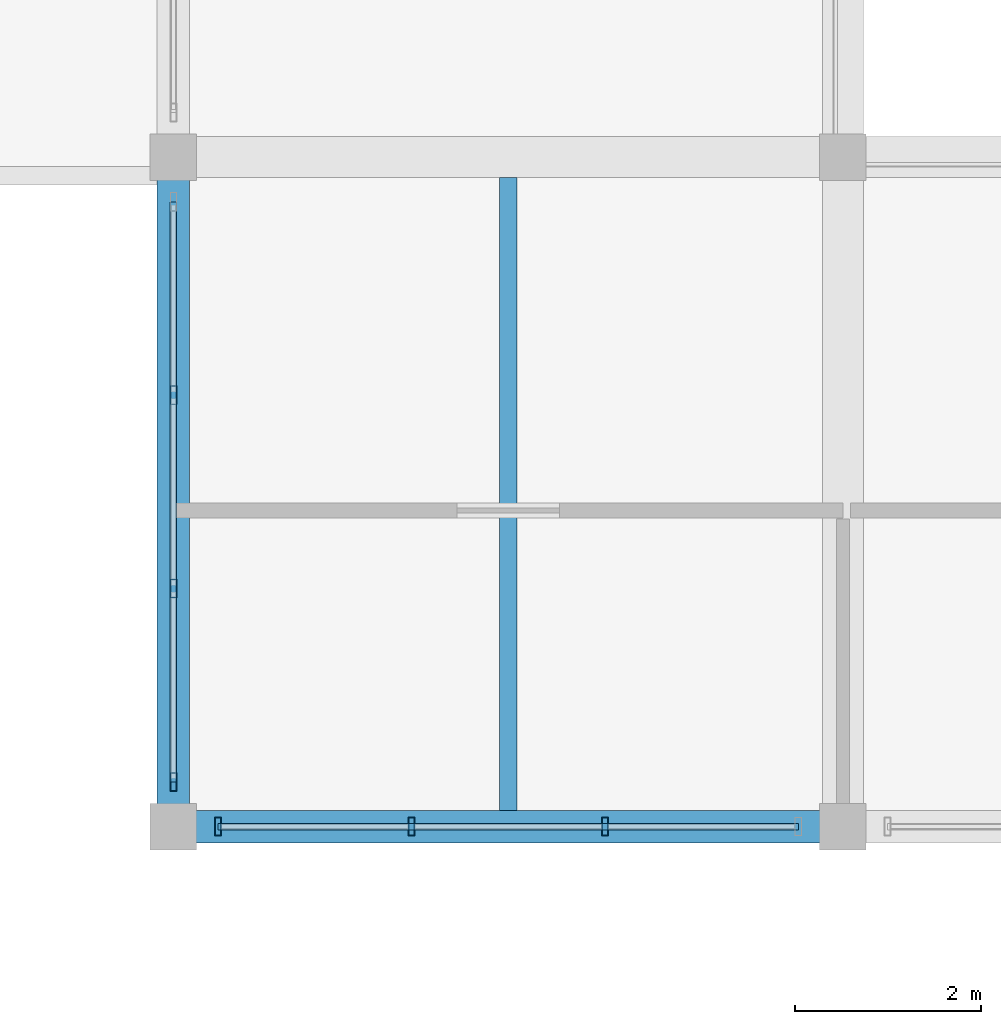
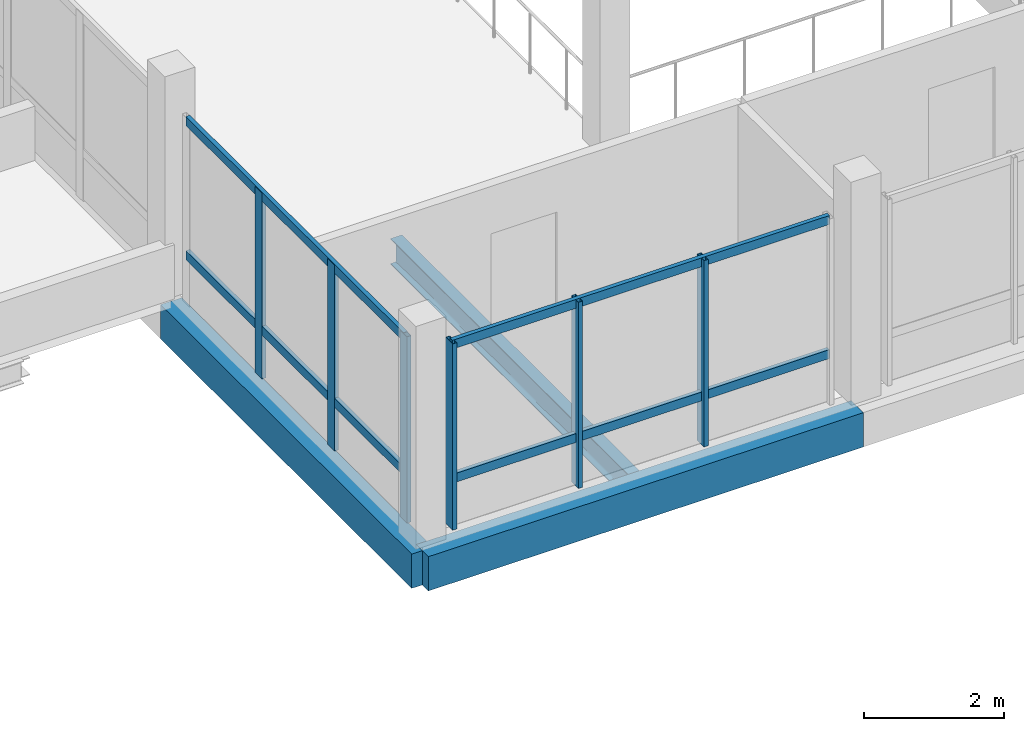
# One storey, part 36 of 128: 10 members, 3 beams, 2 elements without a shape of their own.
"""IFC4 building model written with IfcOpenShell, lengths in metres."""

import ifcopenshell
import ifcopenshell.guid

model = None  # the IFC model being written
_history = None  # IfcOwnerHistory: only IFC2X3 demands one
_inside = {}  # id of a spatial element -> (the spatial element, [elements in it])
_under = {}  # id of a project, library or spatial element -> (it, [spatial elements below it])
_declared = {}  # id of a project -> (the project, [libraries it declares])
_typed = {}  # id of a type object -> (the type object, [elements of that type])
_made_of = {}  # id of a material, layer set ... -> (it, [elements and type objects made of it])


def new_model(schema):
    """Start an empty IFC model of exactly this schema.

    Asked for "IFC4X3", IfcOpenShell would pick the latest addendum, in which some entities
    have other attributes; the version numbers below select the first issue.
    IFC2X3 requires an IfcOwnerHistory on every rooted entity: one is made here for all.
    """
    global model, _history
    if schema == "IFC4X3":
        model = ifcopenshell.file(schema_version=(4, 3, 0, 0))
    else:
        model = ifcopenshell.file(schema=schema)
    _inside.clear()
    _under.clear()
    _declared.clear()
    _typed.clear()
    _made_of.clear()
    _history = None
    if model.schema == "IFC2X3":
        org = make("IfcOrganization", Name="unknown")
        user = make(
            "IfcPersonAndOrganization",
            ThePerson=make("IfcPerson", FamilyName="unknown"),
            TheOrganization=org,
        )
        app = make(
            "IfcApplication",
            ApplicationDeveloper=org,
            Version="unknown",
            ApplicationFullName="unknown",
            ApplicationIdentifier="unknown",
        )
        _history = make(
            "IfcOwnerHistory",
            OwningUser=user,
            OwningApplication=app,
            ChangeAction="ADDED",
            CreationDate=0,
        )
    return model


def make(cls, **values):
    """One entity of the class cls with the attributes given. An attribute that is None is left unset."""
    return model.create_entity(
        cls, **{name: value for name, value in values.items() if value is not None}
    )


def rooted(cls, **values):
    """An entity with a GlobalId (a new one), such as an element, a storey or a relation."""
    return make(cls, GlobalId=ifcopenshell.guid.new(), OwnerHistory=_history, **values)


def si_unit(unit_type, name, prefix=None):
    """IfcSIUnit, for example si_unit("LENGTHUNIT", "METRE", prefix="MILLI")."""
    return make("IfcSIUnit", UnitType=unit_type, Prefix=prefix, Name=name)


def assignment(units):
    """IfcUnitAssignment: the units of a project."""
    return None if units is None else make("IfcUnitAssignment", Units=units)


def point(xyz):
    """IfcCartesianPoint."""
    return None if xyz is None else make("IfcCartesianPoint", Coordinates=xyz)


def direction(xyz):
    """IfcDirection."""
    return None if xyz is None else make("IfcDirection", DirectionRatios=xyz)


def frame(location, z_axis=None, x_axis=None):
    """IfcAxis2Placement3D, a coordinate frame: its origin and axes. An axis left out is left unset."""
    return make(
        "IfcAxis2Placement3D",
        Location=point(location),
        Axis=direction(z_axis),
        RefDirection=direction(x_axis),
    )


def frame_2d(location, x_axis=None):
    """IfcAxis2Placement2D, a coordinate frame in the plane: its origin and x axis."""
    return make(
        "IfcAxis2Placement2D", Location=point(location), RefDirection=direction(x_axis)
    )


def origin():
    """The frame at (0, 0, 0) with its axes left unset."""
    return frame((0.0, 0.0, 0.0))


def origin_2d():
    """The frame at (0, 0) in the plane with its x axis left unset."""
    return frame_2d((0.0, 0.0))


def place(relative_to, where):
    """IfcLocalPlacement: puts the frame where relative to a parent placement (None: the world)."""
    return make(
        "IfcLocalPlacement", PlacementRelTo=relative_to, RelativePlacement=where
    )


def context(
    kind, dimensions, precision=None, world=None, true_north=None, identifier=None
):
    """IfcGeometricRepresentationContext, for example the 3D "Model" context."""
    return make(
        "IfcGeometricRepresentationContext",
        ContextIdentifier=identifier,
        ContextType=kind,
        CoordinateSpaceDimension=dimensions,
        Precision=precision,
        WorldCoordinateSystem=world,
        TrueNorth=true_north,
    )


def subcontext(parent, identifier, kind, view, scale=None):
    """IfcGeometricRepresentationSubContext, for example "Body" below "Model"."""
    return make(
        "IfcGeometricRepresentationSubContext",
        ContextIdentifier=identifier,
        ContextType=kind,
        ParentContext=parent,
        TargetScale=scale,
        TargetView=view,
    )


def project(units=None, contexts=None):
    """IfcProject with its units and contexts."""
    return rooted(
        "IfcProject",
        Name="project",
        RepresentationContexts=contexts,
        UnitsInContext=assignment(units),
    )


def spatial(cls, under=None, at=None, **own):
    """A site, building, storey or space (cls), placed at a placement, below another one or the project."""
    s = rooted(cls, ObjectPlacement=at, **own)
    if under is not None:
        _under.setdefault(under.id(), (under, []))[1].append(s)
    return s


def profile(cls, at=None, kind="AREA", **sizes):
    """A parametric profile (cls). Its sizes go by their IFC names, for example OverallWidth=200.0."""
    return make(cls, ProfileType=kind, Position=at, **sizes)


def rectangle(**sizes):
    """IfcRectangleProfileDef."""
    return profile("IfcRectangleProfileDef", **sizes)


def hollow_rectangle(**sizes):
    """IfcRectangleHollowProfileDef."""
    return profile("IfcRectangleHollowProfileDef", **sizes)


def i_section(**sizes):
    """IfcIShapeProfileDef."""
    return profile("IfcIShapeProfileDef", **sizes)


def extrude(swept, where, along, depth):
    """IfcExtrudedAreaSolid: the profile swept, set in the frame where, extruded along a direction by depth."""
    return make(
        "IfcExtrudedAreaSolid",
        SweptArea=swept,
        Position=where,
        ExtrudedDirection=direction(along),
        Depth=depth,
    )


def shape(context_of_items, identifier, shape_type, items):
    """IfcShapeRepresentation: the items that make up one representation, for example the "Body"."""
    return make(
        "IfcShapeRepresentation",
        ContextOfItems=context_of_items,
        RepresentationIdentifier=identifier,
        RepresentationType=shape_type,
        Items=items,
    )


def material(Name=None, Category=None):
    """IfcMaterial."""
    return make("IfcMaterial", Name=Name, Category=Category)


def material_profile(
    of_material, cross_section, Name=None, Category=None, Priority=None
):
    """IfcMaterialProfile: a cross section and its material."""
    return make(
        "IfcMaterialProfile",
        Name=Name,
        Material=of_material,
        Profile=cross_section,
        Priority=Priority,
        Category=Category,
    )


def profile_set(profiles, Name=None, composite=None):
    """IfcMaterialProfileSet."""
    return make(
        "IfcMaterialProfileSet",
        Name=Name,
        MaterialProfiles=profiles,
        CompositeProfile=composite,
    )


def made_of(thing, what):
    """Note that an element or type object is made of a material, layer set ...; save() writes the relation."""
    if what is not None:
        _made_of.setdefault(what.id(), (what, []))[1].append(thing)
    return thing


def type_object(cls, material=None, **own):
    """A type object (cls), such as IfcWallType, which elements share."""
    return made_of(rooted(cls, **own), material)


def element(
    cls,
    number,
    at=None,
    inside=None,
    cuts=None,
    type_object=None,
    material=None,
    context=None,
    identifier="Body",
    shape_type=None,
    held_by="IfcProductDefinitionShape",
    body=None,
    shapes=None,
    **own,
):
    """One element of the class cls, such as IfcWall. Its Tag is "e" and its number.

    at: its placement. inside: the storey or other place that contains it. cuts: it is an
    opening in that element (IfcRelVoidsElement). A single representation is given by context,
    identifier, shape_type and body (its items); several are given by shapes. held_by: the class
    of the entity that holds the representations. save() writes the other relations.
    """
    e = rooted(cls, Tag="e%d" % number, ObjectPlacement=at, **own)
    if body is not None:
        shapes = [shape(context, identifier, shape_type, body)]
    if shapes is not None:
        e.Representation = make(held_by, Representations=shapes)
    if inside is not None:
        _inside.setdefault(inside.id(), (inside, []))[1].append(e)
    if cuts is not None:
        rooted(
            "IfcRelVoidsElement", RelatingBuildingElement=cuts, RelatedOpeningElement=e
        )
    if type_object is not None:
        _typed.setdefault(type_object.id(), (type_object, []))[1].append(e)
    return made_of(e, material)


def aggregate(whole, parts):
    """IfcRelAggregates: a whole, such as a stair, and the parts it consists of."""
    return rooted("IfcRelAggregates", RelatingObject=whole, RelatedObjects=parts)


def save(model, path):
    """Write the relations noted so far, then the file.

    IfcRelAggregates (storeys below a building ...), IfcRelContainedInSpatialStructure (elements
    in a storey), IfcRelDefinesByType, IfcRelAssociatesMaterial and IfcRelDeclares: one each for
    every whole, place, type object, material and project.
    """
    for whole, parts in _under.values():
        aggregate(whole, parts)
    for where, things in _inside.values():
        rooted(
            "IfcRelContainedInSpatialStructure",
            RelatedElements=things,
            RelatingStructure=where,
        )
    for kind, things in _typed.values():
        rooted("IfcRelDefinesByType", RelatedObjects=things, RelatingType=kind)
    for what, things in _made_of.values():
        rooted("IfcRelAssociatesMaterial", RelatedObjects=things, RelatingMaterial=what)
    for by, libraries in _declared.values():
        rooted("IfcRelDeclares", RelatingContext=by, RelatedDefinitions=libraries)
    model.write(path)


model = new_model("IFC4")

# Units and contexts
model_context = context("Model", 3, precision=1e-05, world=origin(), true_north=direction((0.0, 1.0)))
body_context = subcontext(model_context, "Body", "Model", "MODEL_VIEW")
ifc_project = project(units=[si_unit("LENGTHUNIT", "METRE"), si_unit("AREAUNIT", "SQUARE_METRE"), si_unit("VOLUMEUNIT", "CUBIC_METRE"), si_unit("PLANEANGLEUNIT", "RADIAN"), si_unit("MASSUNIT", "GRAM", prefix="KILO")], contexts=[model_context])

# Site, building, storey
site_placement = place(None, origin())
site = spatial("IfcSite", under=ifc_project, at=site_placement, CompositionType="ELEMENT")
building_placement = place(site_placement, origin())
building = spatial("IfcBuilding", under=site, at=building_placement, Name="Zornivar Specialist Clinic", CompositionType="ELEMENT")
storey_placement = place(building_placement, frame((0.0, 0.0, 4.5)))
storey = spatial("IfcBuildingStorey", under=building, at=storey_placement, Name="L01", CompositionType="ELEMENT", Elevation=4.5)

# Beams
ifc_material_1 = material(Name="Concrete C30/37", Category="concrete")
ifc_material_profile_1 = material_profile(ifc_material_1, rectangle(XDim=0.35009765625, YDim=0.60009765625, at=origin_2d()), Name="RC 350x600")
ifc_profile_set_1 = profile_set([ifc_material_profile_1], Name="Concrete C30/37")
beam_type_1 = type_object("IfcBeamType", Name="BM-RC-SPANDREL-350x600", PredefinedType="SPANDREL", material=ifc_profile_set_1)
beam_1_placement = place(storey_placement, frame((122.39990234375, 0.0, -0.56005859375), z_axis=(1.0, 0.0, 0.0), x_axis=(0.0, 1.0, 0.0)))
element("IfcBeam", 1, at=beam_1_placement, inside=storey, type_object=beam_type_1, Name="bm:V4:L01:x:0:0", PredefinedType="SPANDREL", context=body_context, shape_type="SweptSolid", body=[
    extrude(rectangle(XDim=0.35009765625, YDim=0.60009765625, at=origin_2d()), origin(), (0.0, 0.0, 1.0), 7.2001953125),
])
beam_2_placement = place(storey_placement, frame((122.39990234375, 0.0, -0.56005859375), z_axis=(0.0, 1.0, 0.0), x_axis=(-1.0, 0.0, 0.0)))
element("IfcBeam", 2, at=beam_2_placement, inside=storey, type_object=beam_type_1, Name="bm:V4:L01:y:1224:0", PredefinedType="SPANDREL", context=body_context, shape_type="SweptSolid", body=[
    extrude(rectangle(XDim=0.35009765625, YDim=0.60009765625, at=origin_2d()), origin(), (0.0, 0.0, 1.0), 7.199951171875),
])
ifc_material_2 = material(Name="Steel S355J2", Category="steel")
ifc_material_profile_2 = material_profile(ifc_material_2, i_section(OverallWidth=0.18994140625, OverallDepth=0.449951171875, WebThickness=0.009521484375, FlangeThickness=0.0146484375, FilletRadius=0.02099609375, at=origin_2d()), Name="IPE 450")
ifc_profile_set_2 = profile_set([ifc_material_profile_2], Name="Steel S355J2")
beam_type_2 = type_object("IfcBeamType", Name="BM-STL-IPE450", PredefinedType="BEAM", material=ifc_profile_set_2)
beam_3_placement = place(storey_placement, frame((126.0, 0.175048828125, -0.485107421875), z_axis=(0.0, 1.0, 0.0), x_axis=(-1.0, 0.0, 0.0)))
element("IfcBeam", 3, at=beam_3_placement, inside=storey, type_object=beam_type_2, Name="bm:V4:L01:gird:0", PredefinedType="BEAM", context=body_context, shape_type="SweptSolid", body=[
    extrude(i_section(OverallWidth=0.18994140625, OverallDepth=0.449951171875, WebThickness=0.009521484375, FlangeThickness=0.0146484375, FilletRadius=0.02099609375, at=origin_2d()), origin(), (0.0, 0.0, 1.0), 6.804931640625),
])

# Curtain wall, members
ifc_material_3 = material(Name="Aluminium and Low-E Glass Curtain Wall", Category="aluminium")
curtain_wall_type = type_object("IfcCurtainWallType", Name="CW-WINTERGARDEN", PredefinedType="NOTDEFINED", material=ifc_material_3)
curtain_wall_1_placement = place(storey_placement, origin())
curtain_wall_1 = element("IfcCurtainWall", 4, at=curtain_wall_1_placement, inside=storey, type_object=curtain_wall_type, Name="cw:V4:L01:00", PredefinedType="NOTDEFINED")
ifc_material_4 = material(Name="Aluminium AW-6060", Category="aluminium")
ifc_material_profile_3 = material_profile(ifc_material_4, hollow_rectangle(XDim=0.070068359375, YDim=0.199951171875, WallThickness=0.0048828125, at=origin_2d()), Name="ALU 70x200x5")
ifc_profile_set_3 = profile_set([ifc_material_profile_3], Name="Aluminium AW-6060")
member_type_1 = type_object("IfcMemberType", Name="CWM-MUL-200", PredefinedType="MULLION", material=ifc_profile_set_3)
member_1_placement = place(storey_placement, frame((122.8798828125, 0.0, 0.0), z_axis=(0.0, 0.0, 1.0), x_axis=(1.0, 0.0, 0.0)))
member_1 = element("IfcMember", 5, at=member_1_placement, type_object=member_type_1, Name="cw:V4:L01:00:mul:0", PredefinedType="MULLION", context=body_context, shape_type="SweptSolid", body=[
    extrude(hollow_rectangle(XDim=0.070068359375, YDim=0.199951171875, WallThickness=0.0048828125, at=origin_2d()), origin(), (0.0, 0.0, 1.0), 3.260009765625),
])
member_2_placement = place(storey_placement, frame((124.9599609375, 0.0, 0.0), z_axis=(0.0, 0.0, 1.0), x_axis=(1.0, 0.0, 0.0)))
member_2 = element("IfcMember", 6, at=member_2_placement, type_object=member_type_1, Name="cw:V4:L01:00:mul:1", PredefinedType="MULLION", context=body_context, shape_type="SweptSolid", body=[
    extrude(hollow_rectangle(XDim=0.070068359375, YDim=0.199951171875, WallThickness=0.0048828125, at=origin_2d()), origin(), (0.0, 0.0, 1.0), 3.260009765625),
])
member_3_placement = place(storey_placement, frame((127.0400390625, 0.0, 0.0), z_axis=(0.0, 0.0, 1.0), x_axis=(1.0, 0.0, 0.0)))
member_3 = element("IfcMember", 7, at=member_3_placement, type_object=member_type_1, Name="cw:V4:L01:00:mul:2", PredefinedType="MULLION", context=body_context, shape_type="SweptSolid", body=[
    extrude(hollow_rectangle(XDim=0.070068359375, YDim=0.199951171875, WallThickness=0.0048828125, at=origin_2d()), origin(), (0.0, 0.0, 1.0), 3.260009765625),
])

curtain_wall_2_placement = place(storey_placement, origin())
curtain_wall_2 = element("IfcCurtainWall", 8, at=curtain_wall_2_placement, inside=storey, type_object=curtain_wall_type, Name="cw:V4:L01:17", PredefinedType="NOTDEFINED")
member_4_placement = place(storey_placement, frame((122.39990234375, 4.639892578125, 0.0), z_axis=(0.0, 0.0, 1.0), x_axis=(1.0, 0.0, 0.0)))
member_4 = element("IfcMember", 9, at=member_4_placement, type_object=member_type_1, Name="cw:V4:L01:17:mul:1", PredefinedType="MULLION", context=body_context, shape_type="SweptSolid", body=[
    extrude(hollow_rectangle(XDim=0.070068359375, YDim=0.199951171875, WallThickness=0.0048828125, at=origin_2d()), origin(), (0.0, 0.0, 1.0), 3.260009765625),
])
member_5_placement = place(storey_placement, frame((122.39990234375, 2.56005859375, 0.0), z_axis=(0.0, 0.0, 1.0), x_axis=(1.0, 0.0, 0.0)))
member_5 = element("IfcMember", 10, at=member_5_placement, type_object=member_type_1, Name="cw:V4:L01:17:mul:2", PredefinedType="MULLION", context=body_context, shape_type="SweptSolid", body=[
    extrude(hollow_rectangle(XDim=0.070068359375, YDim=0.199951171875, WallThickness=0.0048828125, at=origin_2d()), origin(), (0.0, 0.0, 1.0), 3.260009765625),
])
member_6_placement = place(storey_placement, frame((122.39990234375, 0.47998046875, 0.0), z_axis=(0.0, 0.0, 1.0), x_axis=(1.0, 0.0, 0.0)))
member_6 = element("IfcMember", 11, at=member_6_placement, type_object=member_type_1, Name="cw:V4:L01:17:mul:3", PredefinedType="MULLION", context=body_context, shape_type="SweptSolid", body=[
    extrude(hollow_rectangle(XDim=0.070068359375, YDim=0.199951171875, WallThickness=0.0048828125, at=origin_2d()), origin(), (0.0, 0.0, 1.0), 3.260009765625),
])

# Member
ifc_material_5 = material(Name="Aluminium AW-6060", Category="aluminium")
ifc_material_profile_4 = material_profile(ifc_material_5, hollow_rectangle(XDim=0.070068359375, YDim=0.155029296875, WallThickness=0.00439453125, at=origin_2d()), Name="ALU 70x155x4.5")
ifc_profile_set_4 = profile_set([ifc_material_profile_4], Name="Aluminium AW-6060")
member_type_2 = type_object("IfcMemberType", Name="CWM-TRN-155", PredefinedType="USERDEFINED", material=ifc_profile_set_4)
member_7_placement = place(storey_placement, frame((122.8798828125, 0.0, 0.847900390625), z_axis=(1.0, 0.0, 0.0), x_axis=(0.0, 1.0, 0.0)))
member_7 = element("IfcMember", 12, at=member_7_placement, type_object=member_type_2, Name="cw:V4:L01:00:trn:0", ObjectType="TRANSOM", PredefinedType="USERDEFINED", context=body_context, shape_type="SweptSolid", body=[
    extrude(hollow_rectangle(XDim=0.070068359375, YDim=0.155029296875, WallThickness=0.00439453125, at=origin_2d()), origin(), (0.0, 0.0, 1.0), 6.240234375),
])

member_8_placement = place(storey_placement, frame((122.8798828125, 0.0, 3.195068359375), z_axis=(1.0, 0.0, 0.0), x_axis=(0.0, 1.0, 0.0)))
member_8 = element("IfcMember", 13, at=member_8_placement, type_object=member_type_2, Name="cw:V4:L01:00:trn:1", ObjectType="TRANSOM", PredefinedType="USERDEFINED", context=body_context, shape_type="SweptSolid", body=[
    extrude(hollow_rectangle(XDim=0.070068359375, YDim=0.155029296875, WallThickness=0.00439453125, at=origin_2d()), origin(), (0.0, 0.0, 1.0), 6.240234375),
])

aggregate(curtain_wall_1, [member_1, member_2, member_3, member_7, member_8])

member_9_placement = place(storey_placement, frame((122.39990234375, 6.719970703125, 0.847900390625), z_axis=(0.0, -1.0, 0.0), x_axis=(1.0, 0.0, 0.0)))
member_9 = element("IfcMember", 14, at=member_9_placement, type_object=member_type_2, Name="cw:V4:L01:17:trn:0", ObjectType="TRANSOM", PredefinedType="USERDEFINED", context=body_context, shape_type="SweptSolid", body=[
    extrude(hollow_rectangle(XDim=0.070068359375, YDim=0.155029296875, WallThickness=0.00439453125, at=origin_2d()), origin(), (0.0, 0.0, 1.0), 6.239990234375),
])

member_10_placement = place(storey_placement, frame((122.39990234375, 6.719970703125, 3.195068359375), z_axis=(0.0, -1.0, 0.0), x_axis=(1.0, 0.0, 0.0)))
member_10 = element("IfcMember", 15, at=member_10_placement, type_object=member_type_2, Name="cw:V4:L01:17:trn:1", ObjectType="TRANSOM", PredefinedType="USERDEFINED", context=body_context, shape_type="SweptSolid", body=[
    extrude(hollow_rectangle(XDim=0.070068359375, YDim=0.155029296875, WallThickness=0.00439453125, at=origin_2d()), origin(), (0.0, 0.0, 1.0), 6.239990234375),
])

aggregate(curtain_wall_2, [member_4, member_5, member_6, member_9, member_10])

save(model, "model.ifc")
